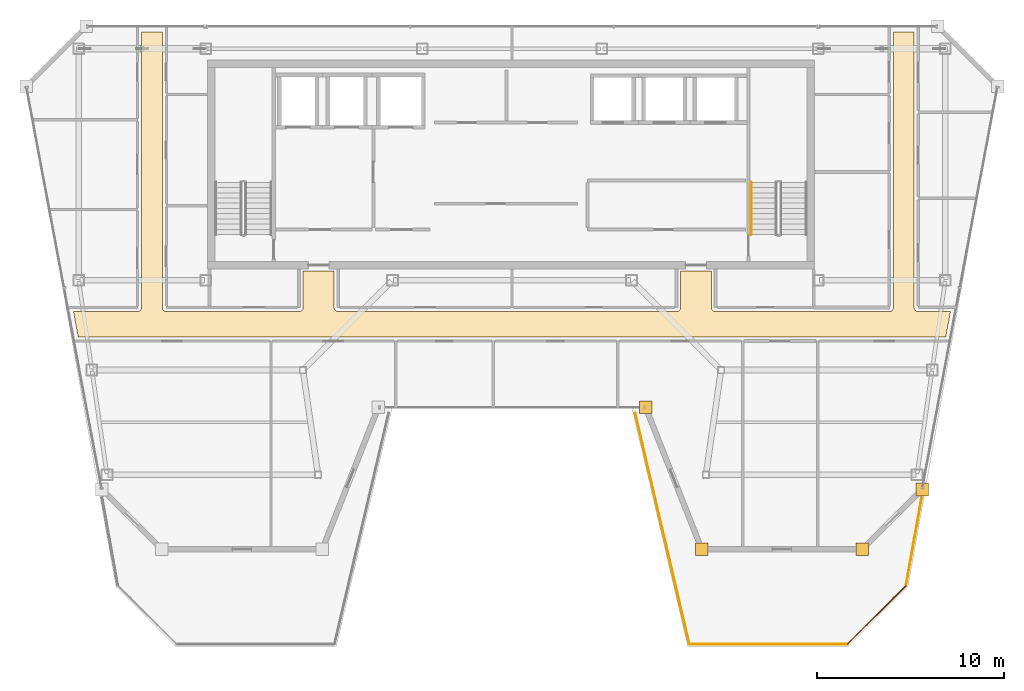
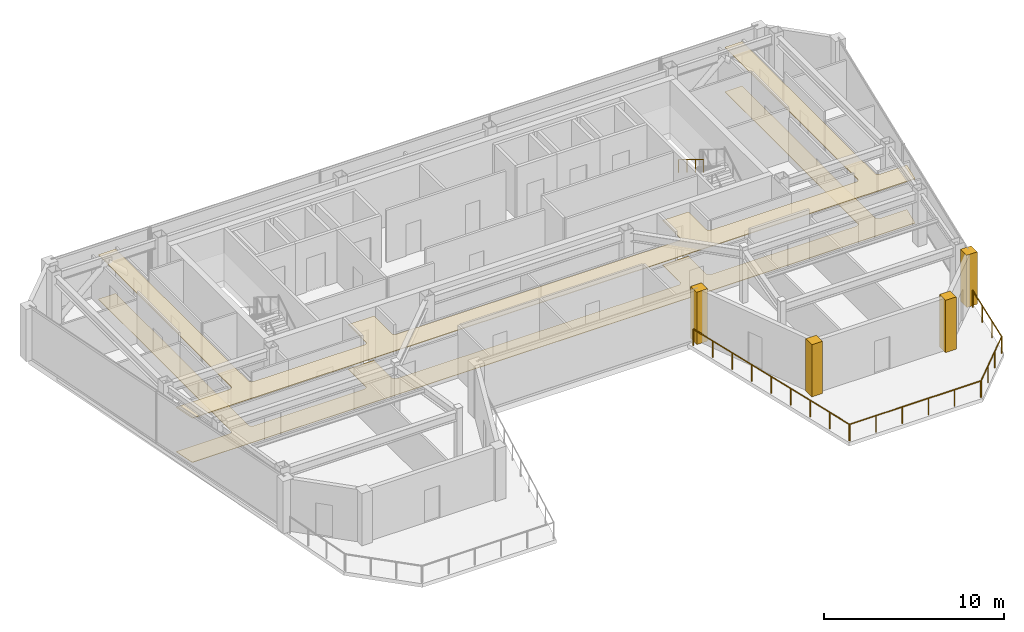
# One storey, part 23 of 25: 6 coverings, 5 railings.
"""IFC4 building model written with IfcOpenShell, lengths in metres."""

from ifc_helpers import new_model, si_unit, direction, frame, origin, origin_2d, place, context, subcontext, project, spatial, polyline, circle, outline, extrude, material, layer, layer_set, type_object, element, save


model = new_model("IFC4")

# Units and contexts
model_context = context("Model", 3, precision=1e-05, world=origin(), true_north=direction((0.0, 1.0)))
body_context = subcontext(model_context, "Body", "Model", "MODEL_VIEW")
ifc_project = project(units=[si_unit("LENGTHUNIT", "METRE"), si_unit("AREAUNIT", "SQUARE_METRE"), si_unit("VOLUMEUNIT", "CUBIC_METRE"), si_unit("PLANEANGLEUNIT", "RADIAN"), si_unit("MASSUNIT", "GRAM", prefix="KILO")], contexts=[model_context])

# Site, building, storey
site_placement = place(None, origin())
site = spatial("IfcSite", under=ifc_project, at=site_placement, CompositionType="ELEMENT")
building_placement = place(site_placement, origin())
building = spatial("IfcBuilding", under=site, at=building_placement, Name="Saevonmaru Cultural Tower", CompositionType="ELEMENT")
storey_placement = place(building_placement, frame((0.0, 0.0, 276.199951171875)))
storey = spatial("IfcBuildingStorey", under=building, at=storey_placement, Name="L65", CompositionType="ELEMENT", Elevation=276.199951171875)

# Coverings
ifc_material_1 = material(Name="Mineral Fibre Acoustic Ceiling", Category="gypsum")
ifc_layer_1 = layer(ifc_material_1, 0.044921875, Name="Mineral Fibre Acoustic Ceiling")
ifc_layer_set_1 = layer_set([ifc_layer_1], Name="Mineral Fibre Acoustic Ceiling")
covering_type_1 = type_object("IfcCoveringType", Name="CV-CEIL-ACOUSTIC", PredefinedType="CEILING", material=ifc_layer_set_1)
covering_1_placement = place(storey_placement, frame((0.0, 0.0, 3.0)))
element("IfcCovering", 1, at=covering_1_placement, inside=storey, type_object=covering_type_1, Name="L65 Corridor Acoustic Ceiling", PredefinedType="CEILING", context=body_context, shape_type="SweptSolid", body=[
    extrude(outline(polyline([(6.779052734375, 39.3701171875), (6.52490234375, 40.72998046875), (9.949951171875, 40.72998046875), (9.971923828125, 40.73095703125), (9.992919921875, 40.73388671875), (10.013916015625, 40.739013671875), (10.033935546875, 40.7470703125), (10.053955078125, 40.756103515625), (10.072021484375, 40.76708984375), (10.090087890625, 40.780029296875), (10.10595703125, 40.7939453125), (10.1201171875, 40.81005859375), (10.133056640625, 40.827880859375), (10.14404296875, 40.845947265625), (10.153076171875, 40.865966796875), (10.160888671875, 40.885986328125), (10.166015625, 40.906982421875), (10.1689453125, 40.927978515625), (10.169921875, 40.949951171875), (10.169921875, 55.699951171875), (11.280029296875, 55.699951171875), (11.280029296875, 40.949951171875), (11.281005859375, 40.927978515625), (11.283935546875, 40.906982421875), (11.2890625, 40.885986328125), (11.297119140625, 40.865966796875), (11.305908203125, 40.845947265625), (11.31689453125, 40.827880859375), (11.330078125, 40.81005859375), (11.343994140625, 40.7939453125), (11.360107421875, 40.780029296875), (11.3779296875, 40.76708984375), (11.39599609375, 40.756103515625), (11.416015625, 40.7470703125), (11.43603515625, 40.739013671875), (11.45703125, 40.73388671875), (11.47802734375, 40.73095703125), (11.5, 40.72998046875), (18.60009765625, 40.72998046875), (18.6220703125, 40.73095703125), (18.64306640625, 40.73388671875), (18.6640625, 40.739013671875), (18.68408203125, 40.7470703125), (18.7041015625, 40.756103515625), (18.721923828125, 40.76708984375), (18.739990234375, 40.780029296875), (18.756103515625, 40.7939453125), (18.77001953125, 40.81005859375), (18.782958984375, 40.827880859375), (18.7939453125, 40.845947265625), (18.802978515625, 40.865966796875), (18.81103515625, 40.885986328125), (18.81591796875, 40.906982421875), (18.819091796875, 40.927978515625), (18.820068359375, 40.949951171875), (18.820068359375, 42.889892578125), (20.47998046875, 42.889892578125), (20.47998046875, 40.949951171875), (20.48095703125, 40.927978515625), (20.48388671875, 40.906982421875), (20.489013671875, 40.885986328125), (20.4970703125, 40.865966796875), (20.506103515625, 40.845947265625), (20.51708984375, 40.827880859375), (20.530029296875, 40.81005859375), (20.5439453125, 40.7939453125), (20.56005859375, 40.780029296875), (20.577880859375, 40.76708984375), (20.595947265625, 40.756103515625), (20.615966796875, 40.7470703125), (20.635986328125, 40.739013671875), (20.656982421875, 40.73388671875), (20.677978515625, 40.73095703125), (20.699951171875, 40.72998046875), (38.800048828125, 40.72998046875), (38.822021484375, 40.73095703125), (38.843017578125, 40.73388671875), (38.864013671875, 40.739013671875), (38.884033203125, 40.7470703125), (38.904052734375, 40.756103515625), (38.922119140625, 40.76708984375), (38.93994140625, 40.780029296875), (38.9560546875, 40.7939453125), (38.969970703125, 40.81005859375), (38.98291015625, 40.827880859375), (38.993896484375, 40.845947265625), (39.0029296875, 40.865966796875), (39.010986328125, 40.885986328125), (39.01611328125, 40.906982421875), (39.01904296875, 40.927978515625), (39.02001953125, 40.949951171875), (39.02001953125, 42.889892578125), (40.679931640625, 42.889892578125), (40.679931640625, 40.949951171875), (40.680908203125, 40.927978515625), (40.68408203125, 40.906982421875), (40.68896484375, 40.885986328125), (40.697021484375, 40.865966796875), (40.7060546875, 40.845947265625), (40.717041015625, 40.827880859375), (40.72998046875, 40.81005859375), (40.743896484375, 40.7939453125), (40.760009765625, 40.780029296875), (40.778076171875, 40.76708984375), (40.7958984375, 40.756103515625), (40.81591796875, 40.7470703125), (40.8359375, 40.739013671875), (40.85693359375, 40.73388671875), (40.8779296875, 40.73095703125), (40.89990234375, 40.72998046875), (50.199951171875, 40.72998046875), (50.221923828125, 40.73095703125), (50.242919921875, 40.73388671875), (50.263916015625, 40.739013671875), (50.283935546875, 40.7470703125), (50.303955078125, 40.756103515625), (50.322021484375, 40.76708984375), (50.340087890625, 40.780029296875), (50.35595703125, 40.7939453125), (50.3701171875, 40.81005859375), (50.383056640625, 40.827880859375), (50.39404296875, 40.845947265625), (50.403076171875, 40.865966796875), (50.410888671875, 40.885986328125), (50.416015625, 40.906982421875), (50.4189453125, 40.927978515625), (50.419921875, 40.949951171875), (50.419921875, 55.699951171875), (51.530029296875, 55.699951171875), (51.530029296875, 40.949951171875), (51.531005859375, 40.927978515625), (51.533935546875, 40.906982421875), (51.5390625, 40.885986328125), (51.547119140625, 40.865966796875), (51.555908203125, 40.845947265625), (51.56689453125, 40.827880859375), (51.580078125, 40.81005859375), (51.593994140625, 40.7939453125), (51.610107421875, 40.780029296875), (51.6279296875, 40.76708984375), (51.64599609375, 40.756103515625), (51.666015625, 40.7470703125), (51.68603515625, 40.739013671875), (51.70703125, 40.73388671875), (51.72802734375, 40.73095703125), (51.75, 40.72998046875), (53.47509765625, 40.72998046875), (53.220947265625, 39.3701171875), (6.779052734375, 39.3701171875)])), origin(), (0.0, 0.0, 1.0), 0.045166015625),
])
ifc_material_2 = material(Name="Satin Bronze Anodised Aluminium", Category="aluminium")
ifc_layer_2 = layer(ifc_material_2, 0.679931640625, Name="Satin Bronze Anodised Aluminium")
ifc_layer_set_2 = layer_set([ifc_layer_2], Name="Satin Bronze Anodised Aluminium")
covering_type_2 = type_object("IfcCoveringType", Name="CV-CORNER-CLAD", PredefinedType="CLADDING", material=ifc_layer_set_2)
covering_2_placement = place(storey_placement, origin())
element("IfcCovering", 2, at=covering_2_placement, inside=storey, type_object=covering_type_2, Name="L65 Tower Bronze Corner Cladding Pier 5", PredefinedType="CLADDING", context=body_context, shape_type="SweptSolid", body=[
    extrude(outline(polyline([(36.81591796875, 35.260009765625), (37.49609375, 35.260009765625), (37.49609375, 35.93994140625), (36.81591796875, 35.93994140625), (36.81591796875, 35.260009765625)])), origin(), (0.0, 0.0, 1.0), 3.550048828125),
])
covering_3_placement = place(storey_placement, origin())
element("IfcCovering", 3, at=covering_3_placement, inside=storey, type_object=covering_type_2, Name="L65 Tower Bronze Corner Cladding Pier 6", PredefinedType="CLADDING", context=body_context, shape_type="SweptSolid", body=[
    extrude(outline(polyline([(39.81591796875, 27.659912109375), (40.49609375, 27.659912109375), (40.49609375, 28.340087890625), (39.81591796875, 28.340087890625), (39.81591796875, 27.659912109375)])), origin(), (0.0, 0.0, 1.0), 3.550048828125),
])
covering_4_placement = place(storey_placement, origin())
element("IfcCovering", 4, at=covering_4_placement, inside=storey, type_object=covering_type_2, Name="L65 Tower Bronze Corner Cladding Pier 7", PredefinedType="CLADDING", context=body_context, shape_type="SweptSolid", body=[
    extrude(outline(polyline([(48.416015625, 27.659912109375), (49.095947265625, 27.659912109375), (49.095947265625, 28.340087890625), (48.416015625, 28.340087890625), (48.416015625, 27.659912109375)])), origin(), (0.0, 0.0, 1.0), 3.550048828125),
])
covering_5_placement = place(storey_placement, origin())
element("IfcCovering", 5, at=covering_5_placement, inside=storey, type_object=covering_type_2, Name="L65 Tower Bronze Corner Cladding Pier 8", PredefinedType="CLADDING", context=body_context, shape_type="SweptSolid", body=[
    extrude(outline(polyline([(51.615966796875, 30.860107421875), (52.2958984375, 30.860107421875), (52.2958984375, 31.5400390625), (51.615966796875, 31.5400390625), (51.615966796875, 30.860107421875)])), origin(), (0.0, 0.0, 1.0), 3.550048828125),
])
ifc_material_3 = material(Name="Honed Granite Terrazzo", Category="masonry")
ifc_layer_3 = layer(ifc_material_3, 0.030029296875, Name="Honed Granite Terrazzo")
ifc_layer_set_3 = layer_set([ifc_layer_3], Name="Honed Granite Terrazzo")
covering_type_3 = type_object("IfcCoveringType", Name="CV-FLR-TERRAZZO", PredefinedType="FLOORING", material=ifc_layer_set_3)
covering_6_placement = place(storey_placement, origin())
element("IfcCovering", 6, at=covering_6_placement, inside=storey, type_object=covering_type_3, Name="L65 Corridor Terrazzo Flooring", PredefinedType="FLOORING", context=body_context, shape_type="SweptSolid", body=[
    extrude(outline(polyline([(6.779052734375, 39.3701171875), (6.52490234375, 40.72998046875), (9.949951171875, 40.72998046875), (9.971923828125, 40.73095703125), (9.992919921875, 40.73388671875), (10.013916015625, 40.739013671875), (10.033935546875, 40.7470703125), (10.053955078125, 40.756103515625), (10.072021484375, 40.76708984375), (10.090087890625, 40.780029296875), (10.10595703125, 40.7939453125), (10.1201171875, 40.81005859375), (10.133056640625, 40.827880859375), (10.14404296875, 40.845947265625), (10.153076171875, 40.865966796875), (10.160888671875, 40.885986328125), (10.166015625, 40.906982421875), (10.1689453125, 40.927978515625), (10.169921875, 40.949951171875), (10.169921875, 55.699951171875), (11.280029296875, 55.699951171875), (11.280029296875, 40.949951171875), (11.281005859375, 40.927978515625), (11.283935546875, 40.906982421875), (11.2890625, 40.885986328125), (11.297119140625, 40.865966796875), (11.305908203125, 40.845947265625), (11.31689453125, 40.827880859375), (11.330078125, 40.81005859375), (11.343994140625, 40.7939453125), (11.360107421875, 40.780029296875), (11.3779296875, 40.76708984375), (11.39599609375, 40.756103515625), (11.416015625, 40.7470703125), (11.43603515625, 40.739013671875), (11.45703125, 40.73388671875), (11.47802734375, 40.73095703125), (11.5, 40.72998046875), (18.60009765625, 40.72998046875), (18.6220703125, 40.73095703125), (18.64306640625, 40.73388671875), (18.6640625, 40.739013671875), (18.68408203125, 40.7470703125), (18.7041015625, 40.756103515625), (18.721923828125, 40.76708984375), (18.739990234375, 40.780029296875), (18.756103515625, 40.7939453125), (18.77001953125, 40.81005859375), (18.782958984375, 40.827880859375), (18.7939453125, 40.845947265625), (18.802978515625, 40.865966796875), (18.81103515625, 40.885986328125), (18.81591796875, 40.906982421875), (18.819091796875, 40.927978515625), (18.820068359375, 40.949951171875), (18.820068359375, 42.889892578125), (20.47998046875, 42.889892578125), (20.47998046875, 40.949951171875), (20.48095703125, 40.927978515625), (20.48388671875, 40.906982421875), (20.489013671875, 40.885986328125), (20.4970703125, 40.865966796875), (20.506103515625, 40.845947265625), (20.51708984375, 40.827880859375), (20.530029296875, 40.81005859375), (20.5439453125, 40.7939453125), (20.56005859375, 40.780029296875), (20.577880859375, 40.76708984375), (20.595947265625, 40.756103515625), (20.615966796875, 40.7470703125), (20.635986328125, 40.739013671875), (20.656982421875, 40.73388671875), (20.677978515625, 40.73095703125), (20.699951171875, 40.72998046875), (38.800048828125, 40.72998046875), (38.822021484375, 40.73095703125), (38.843017578125, 40.73388671875), (38.864013671875, 40.739013671875), (38.884033203125, 40.7470703125), (38.904052734375, 40.756103515625), (38.922119140625, 40.76708984375), (38.93994140625, 40.780029296875), (38.9560546875, 40.7939453125), (38.969970703125, 40.81005859375), (38.98291015625, 40.827880859375), (38.993896484375, 40.845947265625), (39.0029296875, 40.865966796875), (39.010986328125, 40.885986328125), (39.01611328125, 40.906982421875), (39.01904296875, 40.927978515625), (39.02001953125, 40.949951171875), (39.02001953125, 42.889892578125), (40.679931640625, 42.889892578125), (40.679931640625, 40.949951171875), (40.680908203125, 40.927978515625), (40.68408203125, 40.906982421875), (40.68896484375, 40.885986328125), (40.697021484375, 40.865966796875), (40.7060546875, 40.845947265625), (40.717041015625, 40.827880859375), (40.72998046875, 40.81005859375), (40.743896484375, 40.7939453125), (40.760009765625, 40.780029296875), (40.778076171875, 40.76708984375), (40.7958984375, 40.756103515625), (40.81591796875, 40.7470703125), (40.8359375, 40.739013671875), (40.85693359375, 40.73388671875), (40.8779296875, 40.73095703125), (40.89990234375, 40.72998046875), (50.199951171875, 40.72998046875), (50.221923828125, 40.73095703125), (50.242919921875, 40.73388671875), (50.263916015625, 40.739013671875), (50.283935546875, 40.7470703125), (50.303955078125, 40.756103515625), (50.322021484375, 40.76708984375), (50.340087890625, 40.780029296875), (50.35595703125, 40.7939453125), (50.3701171875, 40.81005859375), (50.383056640625, 40.827880859375), (50.39404296875, 40.845947265625), (50.403076171875, 40.865966796875), (50.410888671875, 40.885986328125), (50.416015625, 40.906982421875), (50.4189453125, 40.927978515625), (50.419921875, 40.949951171875), (50.419921875, 55.699951171875), (51.530029296875, 55.699951171875), (51.530029296875, 40.949951171875), (51.531005859375, 40.927978515625), (51.533935546875, 40.906982421875), (51.5390625, 40.885986328125), (51.547119140625, 40.865966796875), (51.555908203125, 40.845947265625), (51.56689453125, 40.827880859375), (51.580078125, 40.81005859375), (51.593994140625, 40.7939453125), (51.610107421875, 40.780029296875), (51.6279296875, 40.76708984375), (51.64599609375, 40.756103515625), (51.666015625, 40.7470703125), (51.68603515625, 40.739013671875), (51.70703125, 40.73388671875), (51.72802734375, 40.73095703125), (51.75, 40.72998046875), (53.47509765625, 40.72998046875), (53.220947265625, 39.3701171875), (6.779052734375, 39.3701171875)])), origin(), (0.0, 0.0, 1.0), 0.030029296875),
])

# Railings
railing_type_1 = type_object("IfcRailingType", Name="RL-BALUSTRADE-1150", PredefinedType="BALUSTRADE", material=ifc_material_2)
railing_1_placement = place(storey_placement, frame((47.93505859375, 22.919921875, 0.0)))
element("IfcRailing", 7, at=railing_1_placement, inside=storey, type_object=railing_type_1, Name="L65 Setback Terrace Balustrade 1-1", PredefinedType="BALUSTRADE", context=body_context, shape_type="SweptSolid", body=[
    extrude(circle(Radius=0.02392578125, at=origin_2d()), frame((0.0, 0.0, 1.1259765625), z_axis=(-1.0, 0.0, 0.0), x_axis=(0.0, -1.0, 0.0)), (0.0, 0.0, 1.0), 8.4150390625),
    extrude(circle(Radius=0.02099609375, at=origin_2d()), origin(), (0.0, 0.0, 1.0), 1.101806640625),
    extrude(circle(Radius=0.02099609375, at=origin_2d()), frame((-1.68310546875, 0.0, 0.0)), (0.0, 0.0, 1.0), 1.101806640625),
    extrude(circle(Radius=0.02099609375, at=origin_2d()), frame((-3.365966796875, 0.0, 0.0)), (0.0, 0.0, 1.0), 1.101806640625),
    extrude(circle(Radius=0.02099609375, at=origin_2d()), frame((-5.049072265625, 0.0, 0.0)), (0.0, 0.0, 1.0), 1.101806640625),
    extrude(circle(Radius=0.02099609375, at=origin_2d()), frame((-6.73193359375, 0.0, 0.0)), (0.0, 0.0, 1.0), 1.101806640625),
    extrude(circle(Radius=0.02099609375, at=origin_2d()), frame((-8.4150390625, 0.0, 0.0)), (0.0, 0.0, 1.0), 1.101806640625),
])
railing_2_placement = place(storey_placement, frame((39.495361328125, 22.939453125, 0.0)))
element("IfcRailing", 8, at=railing_2_placement, inside=storey, type_object=railing_type_1, Name="L65 Setback Terrace Balustrade 1-2", PredefinedType="BALUSTRADE", context=body_context, shape_type="SweptSolid", body=[
    extrude(circle(Radius=0.02392578125, at=origin_2d()), frame((0.0, 0.0, 1.1259765625), z_axis=(-0.228220135747, 0.973609557081, 0.0), x_axis=(-0.973609557081, -0.228220135747, 0.0)), (0.0, 0.0, 1.0), 12.675537109375),
    extrude(circle(Radius=0.02099609375, at=origin_2d()), origin(), (0.0, 0.0, 1.0), 1.101806640625),
    extrude(circle(Radius=0.02099609375, at=origin_2d()), frame((-0.361572265625, 1.542724609375, 0.0)), (0.0, 0.0, 1.0), 1.101806640625),
    extrude(circle(Radius=0.02099609375, at=origin_2d()), frame((-0.72314453125, 3.085205078125, 0.0)), (0.0, 0.0, 1.0), 1.101806640625),
    extrude(circle(Radius=0.02099609375, at=origin_2d()), frame((-1.084716796875, 4.6279296875, 0.0)), (0.0, 0.0, 1.0), 1.101806640625),
    extrude(circle(Radius=0.02099609375, at=origin_2d()), frame((-1.4462890625, 6.17041015625, 0.0)), (0.0, 0.0, 1.0), 1.101806640625),
    extrude(circle(Radius=0.02099609375, at=origin_2d()), frame((-1.80810546875, 7.713134765625, 0.0)), (0.0, 0.0, 1.0), 1.101806640625),
    extrude(circle(Radius=0.02099609375, at=origin_2d()), frame((-2.169677734375, 9.255859375, 0.0)), (0.0, 0.0, 1.0), 1.101806640625),
    extrude(circle(Radius=0.02099609375, at=origin_2d()), frame((-2.53125, 10.79833984375, 0.0)), (0.0, 0.0, 1.0), 1.101806640625),
    extrude(circle(Radius=0.02099609375, at=origin_2d()), frame((-2.892822265625, 12.341064453125, 0.0)), (0.0, 0.0, 1.0), 1.101806640625),
])
railing_3_placement = place(storey_placement, frame((51.929443359375, 30.7333984375, 0.0)))
element("IfcRailing", 9, at=railing_3_placement, inside=storey, type_object=railing_type_1, Name="L65 Setback Terrace Balustrade 1-3", PredefinedType="BALUSTRADE", context=body_context, shape_type="SweptSolid", body=[
    extrude(circle(Radius=0.02392578125, at=origin_2d()), frame((0.0, 0.0, 1.1259765625), z_axis=(-0.176122927693, -0.984368180277, 0.0), x_axis=(0.984368180277, -0.176122927693, 0.0)), (0.0, 0.0, 1.0), 4.729736328125),
    extrude(circle(Radius=0.02099609375, at=origin_2d()), origin(), (0.0, 0.0, 1.0), 1.101806640625),
    extrude(circle(Radius=0.02099609375, at=origin_2d()), frame((-0.277587890625, -1.552001953125, 0.0)), (0.0, 0.0, 1.0), 1.101806640625),
    extrude(circle(Radius=0.02099609375, at=origin_2d()), frame((-0.555419921875, -3.103759765625, 0.0)), (0.0, 0.0, 1.0), 1.101806640625),
    extrude(circle(Radius=0.02099609375, at=origin_2d()), frame((-0.8330078125, -4.65576171875, 0.0)), (0.0, 0.0, 1.0), 1.101806640625),
])
railing_4_placement = place(storey_placement, frame((51.078857421875, 26.0439453125, 0.0)))
element("IfcRailing", 10, at=railing_4_placement, inside=storey, type_object=railing_type_1, Name="L65 Setback Terrace Balustrade 1-4", PredefinedType="BALUSTRADE", context=body_context, shape_type="SweptSolid", body=[
    extrude(circle(Radius=0.02392578125, at=origin_2d()), frame((0.0, 0.0, 1.1259765625), z_axis=(-0.707106781187, -0.707106781187, 0.0), x_axis=(0.707106781187, -0.707106781187, 0.0)), (0.0, 0.0, 1.0), 4.39794921875),
    extrude(circle(Radius=0.02099609375, at=origin_2d()), origin(), (0.0, 0.0, 1.0), 1.101806640625),
    extrude(circle(Radius=0.02099609375, at=origin_2d()), frame((-1.03662109375, -1.03662109375, 0.0)), (0.0, 0.0, 1.0), 1.101806640625),
    extrude(circle(Radius=0.02099609375, at=origin_2d()), frame((-2.0732421875, -2.0732421875, 0.0)), (0.0, 0.0, 1.0), 1.101806640625),
    extrude(circle(Radius=0.02099609375, at=origin_2d()), frame((-3.10986328125, -3.10986328125, 0.0)), (0.0, 0.0, 1.0), 1.101806640625),
])
railing_type_2 = type_object("IfcRailingType", Name="RL-STAIR-HANDRAIL", PredefinedType="HANDRAIL", material=ifc_material_2)
railing_5_placement = place(storey_placement, frame((42.800048828125, 47.64990234375, 2.07275390625)))
element("IfcRailing", 11, at=railing_5_placement, inside=storey, type_object=railing_type_2, Name="L65 ST-2 stair handrail 2", PredefinedType="HANDRAIL", context=body_context, shape_type="SweptSolid", body=[
    extrude(circle(Radius=0.02392578125, at=origin_2d()), frame((0.0, 0.0, 0.8759765625), z_axis=(0.0, -0.851069175582, 0.525053576669), x_axis=(1.0, 0.0, 0.0)), (0.0, 0.0, 1.0), 3.289794921875),
    extrude(circle(Radius=0.02099609375, at=origin_2d()), origin(), (0.0, 0.0, 1.0), 0.851806640625),
    extrude(circle(Radius=0.02099609375, at=origin_2d()), frame((0.0, -0.933349609375, 0.57568359375)), (0.0, 0.0, 1.0), 0.851806640625),
    extrude(circle(Radius=0.02099609375, at=origin_2d()), frame((0.0, -1.866455078125, 1.151611328125)), (0.0, 0.0, 1.0), 0.851806640625),
    extrude(circle(Radius=0.02099609375, at=origin_2d()), frame((0.0, -2.7998046875, 1.727294921875)), (0.0, 0.0, 1.0), 0.851806640625),
])

save(model, "model.ifc")
